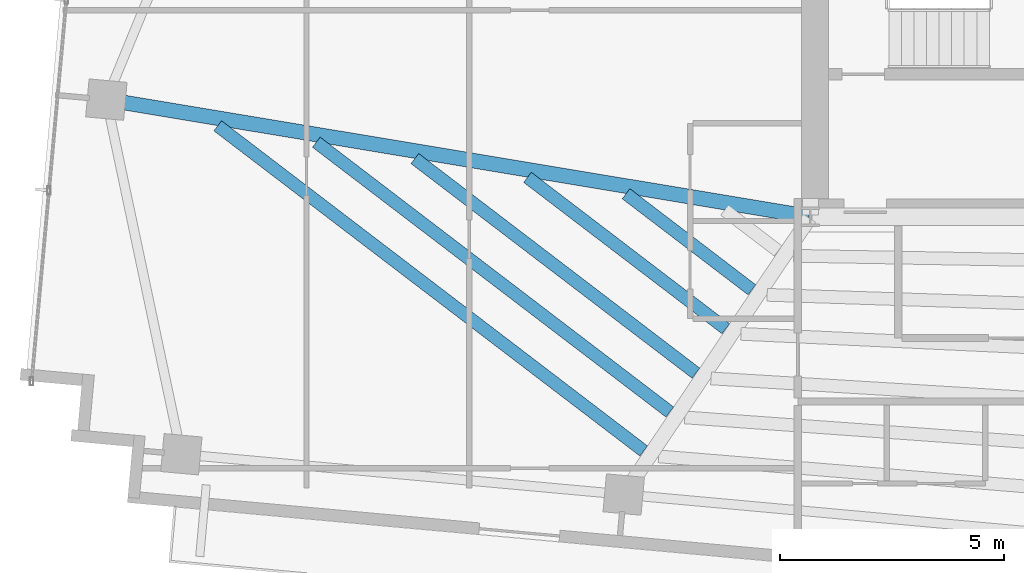
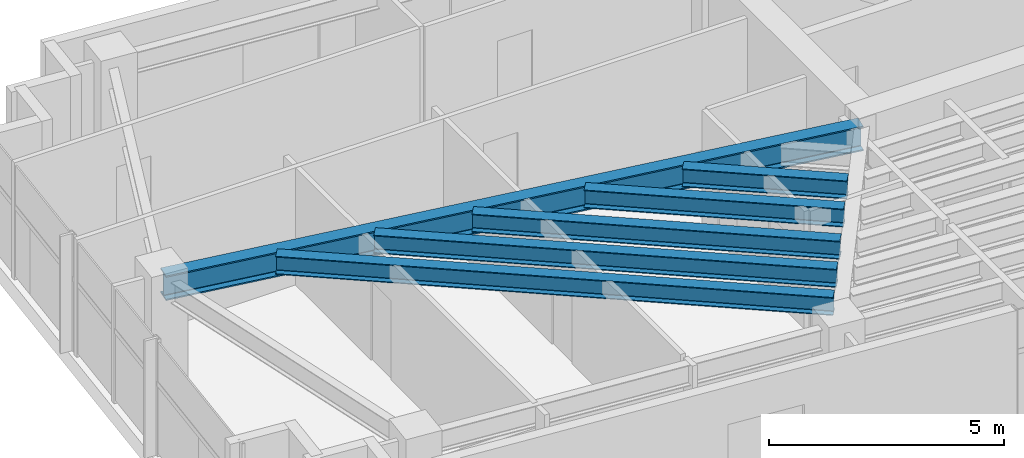
# One storey, part 5 of 22: 6 beams.
"""IFC4 building model written with IfcOpenShell, lengths in metres."""

from ifc_helpers import new_model, si_unit, direction, frame, origin, origin_2d, place, context, subcontext, project, spatial, i_section, extrude, source, transform, mapped, material, material_profile, profile_set, type_object, type_shapes, element, save


model = new_model("IFC4")

# Units and contexts
model_context = context("Model", 3, precision=1e-05, world=origin(), true_north=direction((0.0, 1.0)))
body_context = subcontext(model_context, "Body", "Model", "MODEL_VIEW")
ifc_project = project(units=[si_unit("LENGTHUNIT", "METRE"), si_unit("AREAUNIT", "SQUARE_METRE"), si_unit("VOLUMEUNIT", "CUBIC_METRE"), si_unit("PLANEANGLEUNIT", "RADIAN"), si_unit("MASSUNIT", "GRAM", prefix="KILO")], contexts=[model_context])

# Site, building, storey
site_placement = place(None, origin())
site = spatial("IfcSite", under=ifc_project, at=site_placement, CompositionType="ELEMENT")
building_placement = place(site_placement, origin())
building = spatial("IfcBuilding", under=site, at=building_placement, Name="Astriad Promenade Condominiums", CompositionType="ELEMENT")
storey_placement = place(building_placement, frame((0.0, 0.0, 216.60009765625)))
storey = spatial("IfcBuildingStorey", under=building, at=storey_placement, Name="L62", CompositionType="ELEMENT", Elevation=216.60009765625)

# Beams
ifc_material = material(Name="Steel ASTM A992 Grade 50", Category="steel")
ifc_material_profile_1 = material_profile(ifc_material, i_section(OverallWidth=0.327392578125, OverallDepth=0.640625, WebThickness=0.01904296875, FlangeThickness=0.033935546875, FilletRadius=0.017822265625, at=origin_2d()), Name="W24X176")
ifc_profile_set_1 = profile_set([ifc_material_profile_1], Name="Steel ASTM A992 Grade 50")
beam_type_1 = type_object("IfcBeamType", Name="STEEL FLOOR GIRDER W24X176", PredefinedType="BEAM", material=ifc_profile_set_1)
shared_shape_1 = source(origin(), body_context, "Body", "SweptSolid", [
    extrude(i_section(OverallWidth=0.327392578125, OverallDepth=0.640625, WebThickness=0.01904296875, FlangeThickness=0.033935546875, FilletRadius=0.017822265625, at=origin_2d()), origin(), (0.0, 0.0, 1.0), 15.824462890625),
])
type_shapes(beam_type_1, [shared_shape_1])
beam_1_placement = place(storey_placement, frame((10.750732421875, 20.003662109375, 2.719482421875), z_axis=(0.986439752668, -0.164123777548, 0.0), x_axis=(0.164123777548, 0.986439752668, 0.0)))
element("IfcBeam", 1, at=beam_1_placement, inside=storey, type_object=beam_type_1, Name="Primary Floor Girder PG-WM-L62", PredefinedType="BEAM", context=body_context, shape_type="MappedRepresentation", body=[
    mapped(shared_shape_1, transform((0.0, 0.0, 0.0), scale=1.0)),
])
ifc_material_profile_2 = material_profile(ifc_material, i_section(OverallWidth=0.283203125, OverallDepth=0.47216796875, WebThickness=0.013671875, FlangeThickness=0.022216796875, FilletRadius=0.01513671875, at=origin_2d()), Name="W18X97")
ifc_profile_set_2 = profile_set([ifc_material_profile_2], Name="Steel ASTM A992 Grade 50")
beam_type_2 = type_object("IfcBeamType", Name="STEEL FLOOR JOIST W18X97", PredefinedType="JOIST", material=ifc_profile_set_2)
shared_shape_2 = source(origin(), body_context, "Body", "SweptSolid", [
    extrude(i_section(OverallWidth=0.283203125, OverallDepth=0.47216796875, WebThickness=0.013671875, FlangeThickness=0.022216796875, FilletRadius=0.01513671875, at=origin_2d()), origin(), (0.0, 0.0, 1.0), 11.941162109375),
])
beam_2_placement = place(storey_placement, frame((13.193603515625, 19.426513671875, 2.8037109375), z_axis=(0.794872876153, -0.606775997182, 0.0), x_axis=(0.606775997182, 0.794872876153, 0.0)))
element("IfcBeam", 2, at=beam_2_placement, inside=storey, type_object=beam_type_2, Name="Secondary Composite Floor Joist JW1-1-L62", PredefinedType="JOIST", context=body_context, shape_type="MappedRepresentation", body=[
    mapped(shared_shape_2, transform((0.0, 0.0, 0.0), scale=1.0)),
])
shared_shape_3 = source(origin(), body_context, "Body", "SweptSolid", [
    extrude(i_section(OverallWidth=0.283203125, OverallDepth=0.47216796875, WebThickness=0.013671875, FlangeThickness=0.022216796875, FilletRadius=0.01513671875, at=origin_2d()), origin(), (0.0, 0.0, 1.0), 9.91015625),
])
beam_3_placement = place(storey_placement, frame((15.39013671875, 19.06103515625, 2.8037109375), z_axis=(0.794880580107, -0.606765904916, 0.0), x_axis=(0.606765904916, 0.794880580107, 0.0)))
element("IfcBeam", 3, at=beam_3_placement, inside=storey, type_object=beam_type_2, Name="Secondary Composite Floor Joist JW1-2-L62", PredefinedType="JOIST", context=body_context, shape_type="MappedRepresentation", body=[
    mapped(shared_shape_3, transform((0.0, 0.0, 0.0), scale=1.0)),
])
shared_shape_4 = source(origin(), body_context, "Body", "SweptSolid", [
    extrude(i_section(OverallWidth=0.283203125, OverallDepth=0.47216796875, WebThickness=0.013671875, FlangeThickness=0.022216796875, FilletRadius=0.01513671875, at=origin_2d()), origin(), (0.0, 0.0, 1.0), 7.8798828125),
])
beam_4_placement = place(storey_placement, frame((17.58642578125, 18.69580078125, 2.8037109375), z_axis=(0.794873774806, -0.60677481995, 0.0), x_axis=(0.60677481995, 0.794873774806, 0.0)))
element("IfcBeam", 4, at=beam_4_placement, inside=storey, type_object=beam_type_2, Name="Secondary Composite Floor Joist JW1-3-L62", PredefinedType="JOIST", context=body_context, shape_type="MappedRepresentation", body=[
    mapped(shared_shape_4, transform((0.0, 0.0, 0.0), scale=1.0)),
])
shared_shape_5 = source(origin(), body_context, "Body", "SweptSolid", [
    extrude(i_section(OverallWidth=0.283203125, OverallDepth=0.47216796875, WebThickness=0.013671875, FlangeThickness=0.022216796875, FilletRadius=0.01513671875, at=origin_2d()), origin(), (0.0, 0.0, 1.0), 5.55908203125),
])
beam_5_placement = place(storey_placement, frame((20.0966796875, 18.278076171875, 2.8037109375), z_axis=(0.794874877878, -0.606773374925, 0.0), x_axis=(0.606773374925, 0.794874877878, 0.0)))
element("IfcBeam", 5, at=beam_5_placement, inside=storey, type_object=beam_type_2, Name="Secondary Composite Floor Joist JW1-4-L62", PredefinedType="JOIST", context=body_context, shape_type="MappedRepresentation", body=[
    mapped(shared_shape_5, transform((0.0, 0.0, 0.0), scale=1.0)),
])
shared_shape_6 = source(origin(), body_context, "Body", "SweptSolid", [
    extrude(i_section(OverallWidth=0.283203125, OverallDepth=0.47216796875, WebThickness=0.013671875, FlangeThickness=0.022216796875, FilletRadius=0.01513671875, at=origin_2d()), origin(), (0.0, 0.0, 1.0), 3.5283203125),
])
type_shapes(beam_type_2, [shared_shape_2, shared_shape_3, shared_shape_4, shared_shape_5, shared_shape_6])
beam_6_placement = place(storey_placement, frame((22.293212890625, 17.91259765625, 2.8037109375), z_axis=(0.794864295135, -0.606787238099, 0.0), x_axis=(0.606787238099, 0.794864295135, 0.0)))
element("IfcBeam", 6, at=beam_6_placement, inside=storey, type_object=beam_type_2, Name="Secondary Composite Floor Joist JW1-5-L62", PredefinedType="JOIST", context=body_context, shape_type="MappedRepresentation", body=[
    mapped(shared_shape_6, transform((0.0, 0.0, 0.0), scale=1.0)),
])

save(model, "model.ifc")
